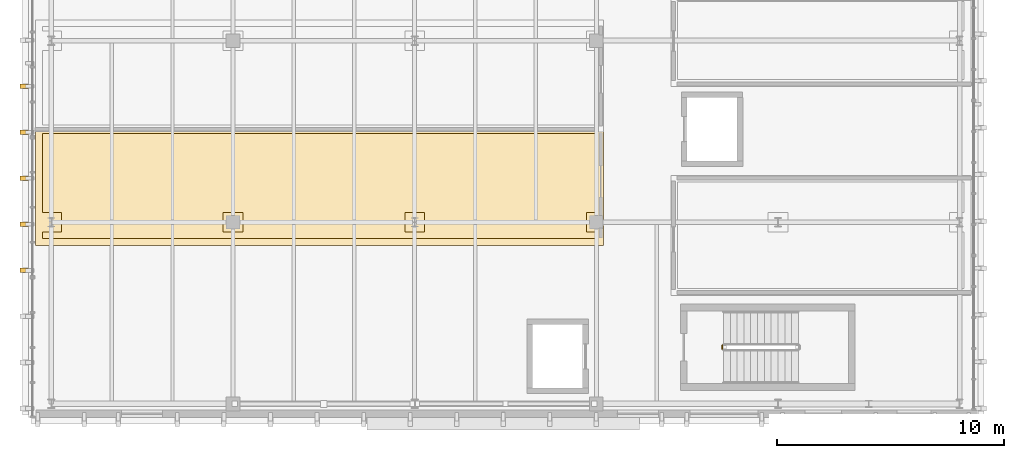
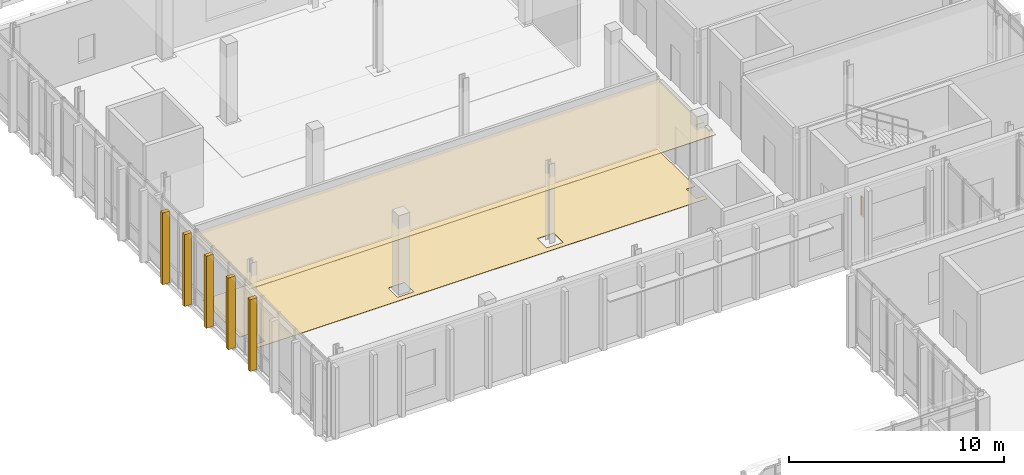
# One storey, part 85 of 100: 7 coverings, 1 railing.
"""IFC4 building model written with IfcOpenShell, lengths in metres."""

from ifc_helpers import new_model, si_unit, direction, frame, origin, origin_2d, place, context, subcontext, project, spatial, polyline, rectangle, circle, outline, extrude, material, layer, layer_set, type_object, element, save


model = new_model("IFC4")

# Units and contexts
model_context = context("Model", 3, precision=1e-05, world=origin(), true_north=direction((0.0, 1.0)))
body_context = subcontext(model_context, "Body", "Model", "MODEL_VIEW")
ifc_project = project(units=[si_unit("LENGTHUNIT", "METRE"), si_unit("AREAUNIT", "SQUARE_METRE"), si_unit("VOLUMEUNIT", "CUBIC_METRE"), si_unit("PLANEANGLEUNIT", "RADIAN"), si_unit("MASSUNIT", "GRAM", prefix="KILO")], contexts=[model_context])

# Site, building, storey
site_placement = place(None, origin())
site = spatial("IfcSite", under=ifc_project, at=site_placement, CompositionType="ELEMENT")
building_placement = place(site_placement, origin())
building = spatial("IfcBuilding", under=site, at=building_placement, Name="Cymarion Research Institute", CompositionType="ELEMENT")
storey_placement = place(building_placement, frame((0.0, 0.0, 9.300048828125)))
storey = spatial("IfcBuildingStorey", under=building, at=storey_placement, Name="L02", CompositionType="ELEMENT", Elevation=9.300048828125)

# Covering
ifc_material_1 = material(Name="Micro-perforated mineral acoustic ceiling tile", Category="gypsum")
ifc_layer_1 = layer(ifc_material_1, 0.030029296875)
ifc_layer_set_1 = layer_set([ifc_layer_1], Name="Micro-perforated mineral acoustic ceiling tile")
covering_type_1 = type_object("IfcCoveringType", Name="ACOUSTIC MICRO-PERFORATED SUSPENDED CEILING CLG-01", PredefinedType="CEILING", material=ifc_layer_set_1)
covering_1_placement = place(storey_placement, frame((0.0, 0.0, 3.699951171875)))
element("IfcCovering", 1, at=covering_1_placement, inside=storey, type_object=covering_type_1, Name="L02 L02 Cleanroom Gowning & Pressure Cascade Airlock acoustic ceiling", PredefinedType="CEILING", context=body_context, shape_type="SweptSolid", body=[
    extrude(outline(polyline([(30.465087890625, 55.635009765625), (30.465087890625, 55.364990234375), (30.9150390625, 55.364990234375), (30.9150390625, 54.485107421875), (5.905029296875, 54.485107421875), (5.905029296875, 59.715087890625), (30.9150390625, 59.715087890625), (30.9150390625, 55.635009765625), (30.465087890625, 55.635009765625)])), origin(), (0.0, 0.0, 1.0), 0.030029296875),
])

# Railing
ifc_material_2 = material(Name="Steel S355", Category="steel")
railing_type = type_object("IfcRailingType", Name="PAINTED STEEL STAIR GUARDRAIL GR1 1100MM", PredefinedType="GUARDRAIL", material=ifc_material_2)
railing_placement = place(storey_placement, frame((36.14990234375, 49.919921875, 0.0)))
element("IfcRailing", 2, at=railing_placement, inside=storey, type_object=railing_type, Name="L02 ST7 stair guard 4", PredefinedType="GUARDRAIL", context=body_context, shape_type="SweptSolid", body=[
    extrude(circle(Radius=0.02392578125, at=origin_2d()), frame((0.0, 0.0, 1.076171875), z_axis=(0.0, 1.0, 0.0), x_axis=(-1.0, 0.0, 0.0)), (0.0, 0.0, 1.0), 0.16015625),
    extrude(circle(Radius=0.02099609375, at=origin_2d()), origin(), (0.0, 0.0, 1.0), 1.052001953125),
    extrude(circle(Radius=0.02099609375, at=origin_2d()), frame((0.0, 0.16015625, 0.0)), (0.0, 0.0, 1.0), 1.052001953125),
])

# Coverings
ifc_material_3 = material(Name="Precast concrete C45/55 architectural white", Category="concrete")
ifc_layer_2 = layer(ifc_material_3, 0.199951171875)
ifc_layer_set_2 = layer_set([ifc_layer_2], Name="Precast concrete C45/55 architectural white")
covering_type_2 = type_object("IfcCoveringType", Name="SCULPTURAL WHITE PRECAST CONCRETE VERTICAL RIB RIB1 380X200", PredefinedType="CLADDING", material=ifc_layer_set_2)
for number, where, z_axis, x_axis, name in (
    (3, (5.407958984375, 61.48681640625, 0.009765625), (0.0, 0.0, 1.0), (-1.0, 0.0, 0.0), "L02 V4 sculptural precast vertical rib RIB1 #580"),
    (4, (5.407958984375, 59.4599609375, 0.009765625), (0.0, 0.0, 1.0), (-1.0, 0.0, 0.0), "L02 V4 sculptural precast vertical rib RIB1 #581"),
    (5, (5.407958984375, 57.433349609375, 0.009765625), (0.0, 0.0, 1.0), (-1.0, 0.0, 0.0), "L02 V4 sculptural precast vertical rib RIB1 #582"),
    (6, (5.407958984375, 55.40673828125, 0.009765625), (0.0, 0.0, 1.0), (-1.0, 0.0, 0.0), "L02 V4 sculptural precast vertical rib RIB1 #583"),
    (7, (5.407958984375, 53.3798828125, 0.009765625), (0.0, 0.0, 1.0), (-1.0, 0.0, 0.0), "L02 V4 sculptural precast vertical rib RIB1 #584"),
):
    element("IfcCovering", number, at=place(storey_placement, frame(where, z_axis=z_axis, x_axis=x_axis)), inside=storey, type_object=covering_type_2, Name=name, PredefinedType="CLADDING", context=body_context, shape_type="SweptSolid", body=[
        extrude(rectangle(XDim=0.3798828125, YDim=0.199951171875, at=origin_2d()), origin(), (0.0, 0.0, 1.0), 4.074951171875),
    ])
ifc_material_4 = material(Name="Seamless dissipative epoxy resin flooring", Category="resin")
ifc_layer_3 = layer(ifc_material_4, 0.02001953125)
ifc_layer_set_3 = layer_set([ifc_layer_3], Name="Seamless dissipative epoxy resin flooring")
covering_type_3 = type_object("IfcCoveringType", Name="SEAMLESS ESD EPOXY LABORATORY FLOORING FLR-01", PredefinedType="FLOORING", material=ifc_layer_set_3)
covering_2_placement = place(storey_placement, origin())
element("IfcCovering", 8, at=covering_2_placement, inside=storey, type_object=covering_type_3, Name="L02 L02 Cleanroom Gowning & Pressure Cascade Airlock ESD epoxy flooring", PredefinedType="FLOORING", context=body_context, shape_type="SweptSolid", body=[
    extrude(outline(polyline([(6.205078125, 55.06494140625), (7.034912109375, 55.06494140625), (7.034912109375, 55.93505859375), (6.205078125, 55.93505859375), (6.205078125, 59.4150390625), (30.614990234375, 59.4150390625), (30.614990234375, 55.93505859375), (30.1650390625, 55.93505859375), (30.1650390625, 55.06494140625), (30.614990234375, 55.06494140625), (30.614990234375, 54.784912109375), (6.205078125, 54.784912109375), (6.205078125, 55.06494140625)]), holes=[polyline([(23.034912109375, 55.93505859375), (22.1650390625, 55.93505859375), (22.1650390625, 55.06494140625), (23.034912109375, 55.06494140625), (23.034912109375, 55.93505859375)]), polyline([(15.034912109375, 55.93505859375), (14.1650390625, 55.93505859375), (14.1650390625, 55.06494140625), (15.034912109375, 55.06494140625), (15.034912109375, 55.93505859375)])]), origin(), (0.0, 0.0, 1.0), 0.02001953125),
])

save(model, "model.ifc")
